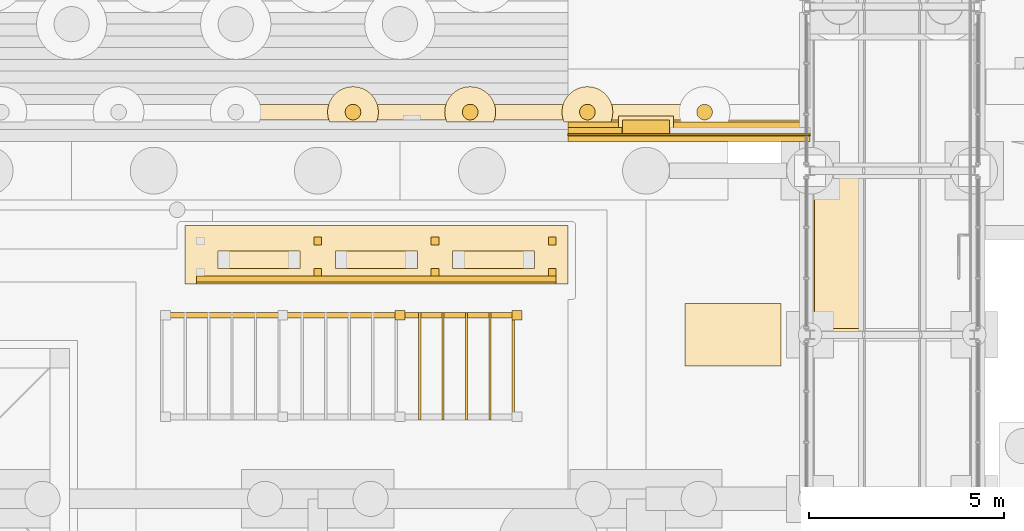
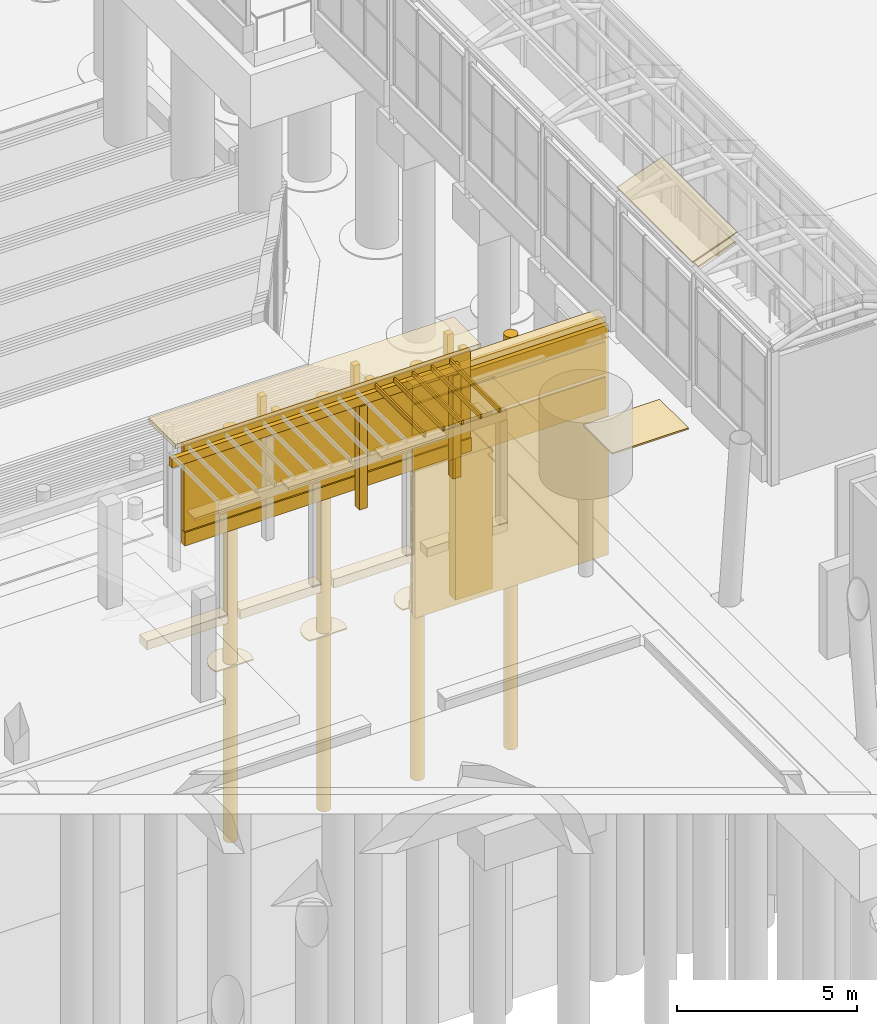
# One storey, part 179 of 222: 46 coverings.
"""IFC4 building model written with IfcOpenShell, lengths in metres."""

from ifc_helpers import new_model, si_unit, direction, frame, origin, origin_2d, place, context, subcontext, project, spatial, polyline, circle, outline, extrude, material, layer, layer_set, type_object, element, save


model = new_model("IFC4")

# Units and contexts
model_context = context("Model", 3, precision=1e-05, world=origin(), true_north=direction((0.0, 1.0)))
body_context = subcontext(model_context, "Body", "Model", "MODEL_VIEW")
ifc_project = project(units=[si_unit("LENGTHUNIT", "METRE"), si_unit("AREAUNIT", "SQUARE_METRE"), si_unit("VOLUMEUNIT", "CUBIC_METRE"), si_unit("PLANEANGLEUNIT", "RADIAN"), si_unit("MASSUNIT", "GRAM", prefix="KILO")], contexts=[model_context])

# Site, building, storey
site_placement = place(None, origin())
site = spatial("IfcSite", under=ifc_project, at=site_placement, CompositionType="ELEMENT")
building_placement = place(site_placement, origin())
building = spatial("IfcBuilding", under=site, at=building_placement, Name="Sava Quay Ferry Terminal", CompositionType="ELEMENT")
storey_placement = place(building_placement, origin())
storey = spatial("IfcBuildingStorey", under=building, at=storey_placement, Name="L00", CompositionType="ELEMENT", Elevation=0.0)

# Coverings
ifc_material_1 = material(Name="Glulam GL28h", Category="wood")
ifc_layer_1 = layer(ifc_material_1, 0.449951171875)
ifc_layer_set_1 = layer_set([ifc_layer_1], Name="Glulam GL28h")
covering_type_1 = type_object("IfcCoveringType", Name="Bench seat 450", PredefinedType="CLADDING", material=ifc_layer_set_1)
covering_1_placement = place(storey_placement, frame((0.0, 0.0, 0.419921875)))
element("IfcCovering", 1, at=covering_1_placement, inside=storey, type_object=covering_type_1, Name="Bench seat", PredefinedType="CLADDING", context=body_context, shape_type="SweptSolid", body=[
    extrude(outline(polyline([(33.14990234375, 115.10009765625), (33.14990234375, 115.550048828125), (31.050048828125, 115.550048828125), (31.050048828125, 115.10009765625), (33.14990234375, 115.10009765625)])), origin(), (0.0, 0.0, 1.0), 0.080078125),
])
covering_2_placement = place(storey_placement, frame((0.0, 0.0, 0.419921875)))
element("IfcCovering", 2, at=covering_2_placement, inside=storey, type_object=covering_type_1, Name="Bench seat", PredefinedType="CLADDING", context=body_context, shape_type="SweptSolid", body=[
    extrude(outline(polyline([(36.14990234375, 115.10009765625), (36.14990234375, 115.550048828125), (34.050048828125, 115.550048828125), (34.050048828125, 115.10009765625), (36.14990234375, 115.10009765625)])), origin(), (0.0, 0.0, 1.0), 0.080078125),
])
covering_3_placement = place(storey_placement, frame((0.0, 0.0, 0.419921875)))
element("IfcCovering", 3, at=covering_3_placement, inside=storey, type_object=covering_type_1, Name="Bench seat", PredefinedType="CLADDING", context=body_context, shape_type="SweptSolid", body=[
    extrude(outline(polyline([(39.14990234375, 115.10009765625), (39.14990234375, 115.550048828125), (37.050048828125, 115.550048828125), (37.050048828125, 115.10009765625), (39.14990234375, 115.10009765625)])), origin(), (0.0, 0.0, 1.0), 0.080078125),
])
ifc_material_2 = material(Name="Greenheart timber", Category="wood")
ifc_layer_2 = layer(ifc_material_2, 0.14990234375)
ifc_layer_set_2 = layer_set([ifc_layer_2], Name="Greenheart timber")
covering_type_2 = type_object("IfcCoveringType", Name="Fender rubbing strip 150", PredefinedType="CLADDING", material=ifc_layer_set_2)
covering_4_placement = place(storey_placement, frame((0.0, 0.0, -7.89990234375)))
element("IfcCovering", 4, at=covering_4_placement, inside=storey, type_object=covering_type_2, Name="Fender rubbing strip", PredefinedType="CLADDING", context=body_context, shape_type="SweptSolid", body=[
    extrude(outline(polyline([(41.389892578125, 118.699951171875), (40.0, 118.699951171875), (40.0, 118.550048828125), (41.389892578125, 118.550048828125), (41.389892578125, 118.699951171875)])), origin(), (0.0, 0.0, 1.0), 0.2998046875),
])
ifc_material_3 = material(Name="Glulam GL28h", Category="wood")
ifc_layer_3 = layer(ifc_material_3, 0.06005859375)
ifc_layer_set_3 = layer_set([ifc_layer_3], Name="Glulam GL28h")
covering_type_3 = type_object("IfcCoveringType", Name="Glulam soffit lining 60", PredefinedType="CEILING", material=ifc_layer_set_3)
covering_5_placement = place(storey_placement, frame((46.317138671875, 113.56005859375, 4.645751953125), z_axis=(-0.341968236193, 0.0, 0.939711511814), x_axis=(0.939711511814, 0.0, 0.341968236193)))
element("IfcCovering", 5, at=covering_5_placement, inside=storey, type_object=covering_type_3, Name="Boarding gallery B1 timber soffit lining bay 2 facet 1", PredefinedType="CEILING", context=body_context, shape_type="SweptSolid", body=[
    extrude(outline(polyline([(0.0, 0.0), (1.305773916594794, 0.0), (1.305773916594794, 3.8798828125), (0.0, 3.8798828125), (0.0, 0.0)])), origin(), (0.0, 0.0, -1.0), 0.06005859375),
])
ifc_material_4 = material(Name="Steel S355", Category="steel")
ifc_layer_4 = layer(ifc_material_4, 0.14990234375)
ifc_layer_set_4 = layer_set([ifc_layer_4], Name="Steel S355")
covering_type_4 = type_object("IfcCoveringType", Name="Promenade pergola beam 150x300", PredefinedType="CLADDING", material=ifc_layer_set_4)
covering_6_placement = place(storey_placement, frame((0.0, 0.0, 3.5)))
element("IfcCovering", 6, at=covering_6_placement, inside=storey, type_object=covering_type_4, Name="Promenade pergola beam", PredefinedType="CLADDING", context=body_context, shape_type="SweptSolid", body=[
    extrude(outline(polyline([(38.824951171875, 113.824951171875), (38.824951171875, 113.97509765625), (29.574951171875, 113.97509765625), (29.574951171875, 113.824951171875), (38.824951171875, 113.824951171875)])), origin(), (0.0, 0.0, 1.0), 0.300048828125),
])
ifc_material_5 = material(Name="Steel S355", Category="steel")
ifc_layer_5 = layer(ifc_material_5, 0.25)
ifc_layer_set_5 = layer_set([ifc_layer_5], Name="Steel S355")
covering_type_5 = type_object("IfcCoveringType", Name="Promenade pergola post 250", PredefinedType="CLADDING", material=ifc_layer_set_5)
covering_7_placement = place(storey_placement, origin())
element("IfcCovering", 7, at=covering_7_placement, inside=storey, type_object=covering_type_5, Name="Promenade pergola post", PredefinedType="CLADDING", context=body_context, shape_type="SweptSolid", body=[
    extrude(outline(polyline([(35.824951171875, 113.77490234375), (35.824951171875, 114.02490234375), (35.574951171875, 114.02490234375), (35.574951171875, 113.77490234375), (35.824951171875, 113.77490234375)])), origin(), (0.0, 0.0, 1.0), 3.5),
])
covering_8_placement = place(storey_placement, origin())
element("IfcCovering", 8, at=covering_8_placement, inside=storey, type_object=covering_type_5, Name="Promenade pergola post", PredefinedType="CLADDING", context=body_context, shape_type="SweptSolid", body=[
    extrude(outline(polyline([(38.824951171875, 113.77490234375), (38.824951171875, 114.02490234375), (38.574951171875, 114.02490234375), (38.574951171875, 113.77490234375), (38.824951171875, 113.77490234375)])), origin(), (0.0, 0.0, 1.0), 3.5),
])
ifc_material_6 = material(Name="Glulam GL28h", Category="wood")
ifc_layer_6 = layer(ifc_material_6, 0.06005859375)
ifc_layer_set_6 = layer_set([ifc_layer_6], Name="Glulam GL28h")
covering_type_6 = type_object("IfcCoveringType", Name="Promenade pergola rafter 60x150", PredefinedType="CLADDING", material=ifc_layer_set_6)
covering_9_placement = place(storey_placement, frame((0.0, 0.0, 3.800048828125)))
element("IfcCovering", 9, at=covering_9_placement, inside=storey, type_object=covering_type_6, Name="Promenade pergola rafter", PredefinedType="CLADDING", context=body_context, shape_type="SweptSolid", body=[
    extrude(outline(polyline([(36.235107421875, 111.22509765625), (36.235107421875, 113.97509765625), (36.175048828125, 113.97509765625), (36.175048828125, 111.22509765625), (36.235107421875, 111.22509765625)])), origin(), (0.0, 0.0, 1.0), 0.14990234375),
])
covering_10_placement = place(storey_placement, frame((0.0, 0.0, 3.800048828125)))
element("IfcCovering", 10, at=covering_10_placement, inside=storey, type_object=covering_type_6, Name="Promenade pergola rafter", PredefinedType="CLADDING", context=body_context, shape_type="SweptSolid", body=[
    extrude(outline(polyline([(36.8349609375, 111.22509765625), (36.8349609375, 113.97509765625), (36.77490234375, 113.97509765625), (36.77490234375, 111.22509765625), (36.8349609375, 111.22509765625)])), origin(), (0.0, 0.0, 1.0), 0.14990234375),
])
covering_11_placement = place(storey_placement, frame((0.0, 0.0, 3.800048828125)))
element("IfcCovering", 11, at=covering_11_placement, inside=storey, type_object=covering_type_6, Name="Promenade pergola rafter", PredefinedType="CLADDING", context=body_context, shape_type="SweptSolid", body=[
    extrude(outline(polyline([(37.43505859375, 111.22509765625), (37.43505859375, 113.97509765625), (37.375, 113.97509765625), (37.375, 111.22509765625), (37.43505859375, 111.22509765625)])), origin(), (0.0, 0.0, 1.0), 0.14990234375),
])
covering_12_placement = place(storey_placement, frame((0.0, 0.0, 3.800048828125)))
element("IfcCovering", 12, at=covering_12_placement, inside=storey, type_object=covering_type_6, Name="Promenade pergola rafter", PredefinedType="CLADDING", context=body_context, shape_type="SweptSolid", body=[
    extrude(outline(polyline([(38.034912109375, 111.22509765625), (38.034912109375, 113.97509765625), (37.97509765625, 113.97509765625), (37.97509765625, 111.22509765625), (38.034912109375, 111.22509765625)])), origin(), (0.0, 0.0, 1.0), 0.14990234375),
])
covering_13_placement = place(storey_placement, frame((0.0, 0.0, 3.800048828125)))
element("IfcCovering", 13, at=covering_13_placement, inside=storey, type_object=covering_type_6, Name="Promenade pergola rafter", PredefinedType="CLADDING", context=body_context, shape_type="SweptSolid", body=[
    extrude(outline(polyline([(38.635009765625, 111.22509765625), (38.635009765625, 113.97509765625), (38.574951171875, 113.97509765625), (38.574951171875, 111.22509765625), (38.635009765625, 111.22509765625)])), origin(), (0.0, 0.0, 1.0), 0.14990234375),
])
ifc_material_7 = material(Name="Timber", Category="wood")
ifc_layer_7 = layer(ifc_material_7, 0.39990234375)
ifc_layer_set_7 = layer_set([ifc_layer_7], Name="Timber")
covering_type_7 = type_object("IfcCoveringType", Name="Quay fender pile 400", PredefinedType="CLADDING", material=ifc_layer_set_7)
for number, where, z_axis, x_axis, name in (
    (14, (34.5, 119.10009765625, 0.0), (0.0, 0.0, -1.0), (1.0, 0.0, 0.0), "Quay fender pile"),
    (15, (37.5, 119.10009765625, 0.0), (0.0, 0.0, -1.0), (1.0, 0.0, 0.0), "Quay fender pile"),
    (16, (40.5, 119.10009765625, 0.0), (0.0, 0.0, -1.0), (1.0, 0.0, 0.0), "Quay fender pile"),
    (17, (43.5, 119.10009765625, 0.0), (0.0, 0.0, -1.0), (1.0, 0.0, 0.0), "Quay fender pile"),
):
    element("IfcCovering", number, at=place(storey_placement, frame(where, z_axis=z_axis, x_axis=x_axis)), inside=storey, type_object=covering_type_7, Name=name, PredefinedType="CLADDING", context=body_context, shape_type="SweptSolid", body=[
        extrude(circle(Radius=0.199951171875, at=origin_2d()), origin(), (0.0, 0.0, 1.0), 14.0),
    ])
ifc_material_8 = material(Name="Timber", Category="wood")
ifc_layer_8 = layer(ifc_material_8, 0.39990234375)
ifc_layer_set_8 = layer_set([ifc_layer_8], Name="Timber")
covering_type_8 = type_object("IfcCoveringType", Name="Quay fender waling", PredefinedType="MOLDING", material=ifc_layer_set_8)
covering_14_placement = place(storey_placement, frame((0.0, 0.0, -6.5)))
element("IfcCovering", 18, at=covering_14_placement, inside=storey, type_object=covering_type_8, Name="Quay fender waling", PredefinedType="MOLDING", context=body_context, shape_type="SweptSolid", body=[
    extrude(outline(polyline([(34.300048828125, 118.89990234375), (34.300048828125, 119.300048828125), (31.699951171875, 119.300048828125), (31.699951171875, 118.89990234375), (34.300048828125, 118.89990234375)])), origin(), (0.0, 0.0, 1.0), 0.300048828125),
])
covering_15_placement = place(storey_placement, frame((0.0, 0.0, -6.5)))
element("IfcCovering", 19, at=covering_15_placement, inside=storey, type_object=covering_type_8, Name="Quay fender waling", PredefinedType="MOLDING", context=body_context, shape_type="SweptSolid", body=[
    extrude(outline(polyline([(37.300048828125, 118.89990234375), (37.300048828125, 119.300048828125), (34.699951171875, 119.300048828125), (34.699951171875, 118.89990234375), (37.300048828125, 118.89990234375)])), origin(), (0.0, 0.0, 1.0), 0.300048828125),
])
covering_16_placement = place(storey_placement, frame((0.0, 0.0, -6.5)))
element("IfcCovering", 20, at=covering_16_placement, inside=storey, type_object=covering_type_8, Name="Quay fender waling", PredefinedType="MOLDING", context=body_context, shape_type="SweptSolid", body=[
    extrude(outline(polyline([(40.300048828125, 118.89990234375), (40.300048828125, 119.300048828125), (37.699951171875, 119.300048828125), (37.699951171875, 118.89990234375), (40.300048828125, 118.89990234375)])), origin(), (0.0, 0.0, 1.0), 0.300048828125),
])
covering_17_placement = place(storey_placement, frame((0.0, 0.0, -6.5)))
element("IfcCovering", 21, at=covering_17_placement, inside=storey, type_object=covering_type_8, Name="Quay fender waling", PredefinedType="MOLDING", context=body_context, shape_type="SweptSolid", body=[
    extrude(outline(polyline([(43.300048828125, 118.89990234375), (43.300048828125, 119.300048828125), (40.699951171875, 119.300048828125), (40.699951171875, 118.89990234375), (43.300048828125, 118.89990234375)])), origin(), (0.0, 0.0, 1.0), 0.300048828125),
])
ifc_material_9 = material(Name="Limestone Mutalj", Category="masonry")
ifc_layer_9 = layer(ifc_material_9, 0.449951171875)
ifc_layer_set_9 = layer_set([ifc_layer_9], Name="Limestone Mutalj")
covering_type_9 = type_object("IfcCoveringType", Name="Quay pilaster cap 1400", PredefinedType="MOLDING", material=ifc_layer_set_9)
covering_18_placement = place(storey_placement, frame((0.0, 0.0, -0.949951171875)))
element("IfcCovering", 22, at=covering_18_placement, inside=storey, type_object=covering_type_9, Name="Quay pilaster cap", PredefinedType="MOLDING", context=body_context, shape_type="SweptSolid", body=[
    extrude(outline(polyline([(42.699951171875, 118.550048828125), (42.699951171875, 119.0), (41.300048828125, 119.0), (41.300048828125, 118.550048828125), (42.699951171875, 118.550048828125)])), origin(), (0.0, 0.0, 1.0), 0.14990234375),
])
ifc_material_10 = material(Name="Limestone Mutalj", Category="masonry")
ifc_layer_10 = layer(ifc_material_10, 0.39990234375)
ifc_layer_set_10 = layer_set([ifc_layer_10], Name="Limestone Mutalj")
covering_type_10 = type_object("IfcCoveringType", Name="Quay wall coping 400", PredefinedType="MOLDING", material=ifc_layer_set_10)
covering_19_placement = place(storey_placement, frame((0.0, 0.0, -0.199951171875)))
element("IfcCovering", 23, at=covering_19_placement, inside=storey, type_object=covering_type_10, Name="Quay wall coping", PredefinedType="MOLDING", context=body_context, shape_type="SweptSolid", body=[
    extrude(outline(polyline([(40.0, 118.89990234375), (40.0, 118.5), (46.199951171875, 118.5), (46.199951171875, 118.89990234375), (40.0, 118.89990234375)])), origin(), (0.0, 0.0, 1.0), 0.199951171875),
])
ifc_material_11 = material(Name="Limestone Mutalj", Category="masonry")
ifc_layer_11 = layer(ifc_material_11, 0.35009765625)
ifc_layer_set_11 = layer_set([ifc_layer_11], Name="Limestone Mutalj")
covering_type_11 = type_object("IfcCoveringType", Name="Quay wall cornice 350", PredefinedType="MOLDING", material=ifc_layer_set_11)
covering_20_placement = place(storey_placement, frame((0.0, 0.0, -0.800048828125)))
element("IfcCovering", 24, at=covering_20_placement, inside=storey, type_object=covering_type_11, Name="Quay wall cornice", PredefinedType="MOLDING", context=body_context, shape_type="SweptSolid", body=[
    extrude(outline(polyline([(40.0, 118.85009765625), (40.0, 118.5), (46.199951171875, 118.5), (46.199951171875, 118.85009765625), (40.0, 118.85009765625)])), origin(), (0.0, 0.0, 1.0), 0.60009765625),
])
ifc_material_12 = material(Name="Limestone Mutalj", Category="masonry")
ifc_layer_12 = layer(ifc_material_12, 0.14990234375)
ifc_layer_set_12 = layer_set([ifc_layer_12], Name="Limestone Mutalj")
covering_type_12 = type_object("IfcCoveringType", Name="Quay wall facing 150", PredefinedType="CLADDING", material=ifc_layer_set_12)
covering_21_placement = place(storey_placement, frame((0.0, 0.0, -8.0)))
element("IfcCovering", 25, at=covering_21_placement, inside=storey, type_object=covering_type_12, Name="Quay wall facing", PredefinedType="CLADDING", context=body_context, shape_type="SweptSolid", body=[
    extrude(outline(polyline([(40.0, 118.35009765625), (46.199951171875, 118.35009765625), (46.199951171875, 118.5), (40.0, 118.5), (40.0, 118.35009765625)])), origin(), (0.0, 0.0, 1.0), 7.800048828125),
])
ifc_material_13 = material(Name="Limestone Mutalj", Category="masonry")
ifc_layer_13 = layer(ifc_material_13, 0.35009765625)
ifc_layer_set_13 = layer_set([ifc_layer_13], Name="Limestone Mutalj")
covering_type_13 = type_object("IfcCoveringType", Name="Quay wall pilaster 1200", PredefinedType="CLADDING", material=ifc_layer_set_13)
covering_22_placement = place(storey_placement, frame((0.0, 0.0, -8.0)))
element("IfcCovering", 26, at=covering_22_placement, inside=storey, type_object=covering_type_13, Name="Quay wall pilaster", PredefinedType="CLADDING", context=body_context, shape_type="SweptSolid", body=[
    extrude(outline(polyline([(42.60009765625, 118.550048828125), (42.60009765625, 118.89990234375), (41.39990234375, 118.89990234375), (41.39990234375, 118.550048828125), (42.60009765625, 118.550048828125)])), origin(), (0.0, 0.0, 1.0), 7.050048828125),
])
ifc_material_14 = material(Name="Water")
ifc_layer_14 = layer(ifc_material_14, 0.0400390625)
ifc_layer_set_14 = layer_set([ifc_layer_14], Name="Water")
covering_type_14 = type_object("IfcCoveringType", Name="River foam collar", PredefinedType="CLADDING", material=ifc_layer_set_14)
covering_23_placement = place(storey_placement, frame((0.0, 0.0, -8.0)))
element("IfcCovering", 27, at=covering_23_placement, inside=storey, type_object=covering_type_14, Name="River foam collar", PredefinedType="CLADDING", context=body_context, shape_type="SweptSolid", body=[
    extrude(outline(polyline([(34.373046875, 119.739990234375), (34.25, 119.702880859375), (34.137939453125, 119.64208984375), (34.0390625, 119.56103515625), (33.9580078125, 119.4619140625), (33.89697265625, 119.35009765625), (33.860107421875, 119.22705078125), (33.847900390625, 119.10009765625), (33.860107421875, 118.972900390625), (33.89794921875, 118.85009765625), (35.10205078125, 118.85009765625), (35.139892578125, 118.972900390625), (35.152099609375, 119.10009765625), (35.139892578125, 119.22705078125), (35.10302734375, 119.35009765625), (35.0419921875, 119.4619140625), (34.9609375, 119.56103515625), (34.862060546875, 119.64208984375), (34.75, 119.702880859375), (34.626953125, 119.739990234375), (34.5, 119.751953125), (34.373046875, 119.739990234375)]), holes=[polyline([(34.423095703125, 119.284912109375), (34.4609375, 119.2958984375), (34.5, 119.300048828125), (34.5390625, 119.2958984375), (34.576904296875, 119.284912109375), (34.611083984375, 119.26611328125), (34.64111328125, 119.240966796875), (34.666015625, 119.2109375), (34.68505859375, 119.177001953125), (34.696044921875, 119.138916015625), (34.699951171875, 119.10009765625), (34.696044921875, 119.06103515625), (34.68505859375, 119.02294921875), (34.666015625, 118.989013671875), (34.64111328125, 118.958984375), (34.611083984375, 118.93408203125), (34.576904296875, 118.9150390625), (34.5390625, 118.904052734375), (34.5, 118.89990234375), (34.4609375, 118.904052734375), (34.423095703125, 118.9150390625), (34.388916015625, 118.93408203125), (34.35888671875, 118.958984375), (34.333984375, 118.989013671875), (34.31494140625, 119.02294921875), (34.303955078125, 119.06103515625), (34.300048828125, 119.10009765625), (34.303955078125, 119.138916015625), (34.31494140625, 119.177001953125), (34.333984375, 119.2109375), (34.35888671875, 119.240966796875), (34.388916015625, 119.26611328125), (34.423095703125, 119.284912109375)])]), origin(), (0.0, 0.0, 1.0), 0.0400390625),
])
covering_24_placement = place(storey_placement, frame((0.0, 0.0, -8.0)))
element("IfcCovering", 28, at=covering_24_placement, inside=storey, type_object=covering_type_14, Name="River foam collar", PredefinedType="CLADDING", context=body_context, shape_type="SweptSolid", body=[
    extrude(outline(polyline([(37.5, 119.751953125), (37.373046875, 119.739990234375), (37.25, 119.702880859375), (37.137939453125, 119.64208984375), (37.0390625, 119.56103515625), (36.9580078125, 119.4619140625), (36.89697265625, 119.35009765625), (36.860107421875, 119.22705078125), (36.847900390625, 119.10009765625), (36.860107421875, 118.972900390625), (36.89794921875, 118.85009765625), (38.10205078125, 118.85009765625), (38.139892578125, 118.972900390625), (38.152099609375, 119.10009765625), (38.139892578125, 119.22705078125), (38.10302734375, 119.35009765625), (38.0419921875, 119.4619140625), (37.9609375, 119.56103515625), (37.862060546875, 119.64208984375), (37.75, 119.702880859375), (37.626953125, 119.739990234375), (37.5, 119.751953125)]), holes=[polyline([(37.388916015625, 119.26611328125), (37.423095703125, 119.284912109375), (37.4609375, 119.2958984375), (37.5, 119.300048828125), (37.5390625, 119.2958984375), (37.576904296875, 119.284912109375), (37.611083984375, 119.26611328125), (37.64111328125, 119.240966796875), (37.666015625, 119.2109375), (37.68505859375, 119.177001953125), (37.696044921875, 119.138916015625), (37.699951171875, 119.10009765625), (37.696044921875, 119.06103515625), (37.68505859375, 119.02294921875), (37.666015625, 118.989013671875), (37.64111328125, 118.958984375), (37.611083984375, 118.93408203125), (37.576904296875, 118.9150390625), (37.5390625, 118.904052734375), (37.5, 118.89990234375), (37.4609375, 118.904052734375), (37.423095703125, 118.9150390625), (37.388916015625, 118.93408203125), (37.35888671875, 118.958984375), (37.333984375, 118.989013671875), (37.31494140625, 119.02294921875), (37.303955078125, 119.06103515625), (37.300048828125, 119.10009765625), (37.303955078125, 119.138916015625), (37.31494140625, 119.177001953125), (37.333984375, 119.2109375), (37.35888671875, 119.240966796875), (37.388916015625, 119.26611328125)])]), origin(), (0.0, 0.0, 1.0), 0.0400390625),
])
covering_25_placement = place(storey_placement, frame((0.0, 0.0, -8.0)))
element("IfcCovering", 29, at=covering_25_placement, inside=storey, type_object=covering_type_14, Name="River foam collar", PredefinedType="CLADDING", context=body_context, shape_type="SweptSolid", body=[
    extrude(outline(polyline([(40.626953125, 119.739990234375), (40.5, 119.751953125), (40.373046875, 119.739990234375), (40.25, 119.702880859375), (40.137939453125, 119.64208984375), (40.0390625, 119.56103515625), (39.9580078125, 119.4619140625), (39.89697265625, 119.35009765625), (39.860107421875, 119.22705078125), (39.847900390625, 119.10009765625), (39.860107421875, 118.972900390625), (39.89794921875, 118.85009765625), (41.10205078125, 118.85009765625), (41.139892578125, 118.972900390625), (41.152099609375, 119.10009765625), (41.139892578125, 119.22705078125), (41.10302734375, 119.35009765625), (41.0419921875, 119.4619140625), (40.9609375, 119.56103515625), (40.862060546875, 119.64208984375), (40.75, 119.702880859375), (40.626953125, 119.739990234375)]), holes=[polyline([(40.35888671875, 119.240966796875), (40.388916015625, 119.26611328125), (40.423095703125, 119.284912109375), (40.4609375, 119.2958984375), (40.5, 119.300048828125), (40.5390625, 119.2958984375), (40.576904296875, 119.284912109375), (40.611083984375, 119.26611328125), (40.64111328125, 119.240966796875), (40.666015625, 119.2109375), (40.68505859375, 119.177001953125), (40.696044921875, 119.138916015625), (40.699951171875, 119.10009765625), (40.696044921875, 119.06103515625), (40.68505859375, 119.02294921875), (40.666015625, 118.989013671875), (40.64111328125, 118.958984375), (40.611083984375, 118.93408203125), (40.576904296875, 118.9150390625), (40.5390625, 118.904052734375), (40.5, 118.89990234375), (40.4609375, 118.904052734375), (40.423095703125, 118.9150390625), (40.388916015625, 118.93408203125), (40.35888671875, 118.958984375), (40.333984375, 118.989013671875), (40.31494140625, 119.02294921875), (40.303955078125, 119.06103515625), (40.300048828125, 119.10009765625), (40.303955078125, 119.138916015625), (40.31494140625, 119.177001953125), (40.333984375, 119.2109375), (40.35888671875, 119.240966796875)])]), origin(), (0.0, 0.0, 1.0), 0.0400390625),
])
ifc_material_15 = material(Name="Limestone Mutalj", Category="masonry")
ifc_layer_15 = layer(ifc_material_15, 0.050048828125)
ifc_layer_set_15 = layer_set([ifc_layer_15], Name="Limestone Mutalj")
covering_type_15 = type_object("IfcCoveringType", Name="Rustication course 250", PredefinedType="MOLDING", material=ifc_layer_set_15)
covering_26_placement = place(storey_placement, frame((0.0, 0.0, -7.93994140625)))
element("IfcCovering", 30, at=covering_26_placement, inside=storey, type_object=covering_type_15, Name="Rustication course", PredefinedType="MOLDING", context=body_context, shape_type="SweptSolid", body=[
    extrude(outline(polyline([(46.199951171875, 118.550048828125), (40.0, 118.550048828125), (40.0, 118.5), (46.199951171875, 118.5), (46.199951171875, 118.550048828125)])), origin(), (0.0, 0.0, 1.0), 1.079833984375),
])
for number, where, name in (
    (31, (0.0, 0.0, -6.739990234375), "Rustication course"),
    (32, (0.0, 0.0, -5.5400390625), "Rustication course"),
    (33, (0.0, 0.0, -4.340087890625), "Rustication course"),
):
    element("IfcCovering", number, at=place(storey_placement, frame(where)), inside=storey, type_object=covering_type_15, Name=name, PredefinedType="MOLDING", context=body_context, shape_type="SweptSolid", body=[
        extrude(outline(polyline([(46.199951171875, 118.550048828125), (40.0, 118.550048828125), (40.0, 118.5), (46.199951171875, 118.5), (46.199951171875, 118.550048828125)])), origin(), (0.0, 0.0, 1.0), 1.080078125),
    ])
for number, where, name in (
    (34, (0.0, 0.0, -3.139892578125), "Rustication course"),
    (35, (0.0, 0.0, -1.93994140625), "Rustication course"),
):
    element("IfcCovering", number, at=place(storey_placement, frame(where)), inside=storey, type_object=covering_type_15, Name=name, PredefinedType="MOLDING", context=body_context, shape_type="SweptSolid", body=[
        extrude(outline(polyline([(46.199951171875, 118.550048828125), (40.0, 118.550048828125), (40.0, 118.5), (46.199951171875, 118.5), (46.199951171875, 118.550048828125)])), origin(), (0.0, 0.0, 1.0), 1.079833984375),
    ])
ifc_material_16 = material(Name="Zinc standing seam sheet")
ifc_layer_16 = layer(ifc_material_16, 0.0400390625)
ifc_layer_set_16 = layer_set([ifc_layer_16], Name="Zinc standing seam sheet")
covering_type_16 = type_object("IfcCoveringType", Name="Standing seam roofing 40", PredefinedType="ROOFING", material=ifc_layer_set_16)
covering_27_placement = place(storey_placement, frame((46.0361328125, 113.409912109375, 4.979736328125), z_axis=(-0.342089424704, 0.0, 0.939667401534), x_axis=(0.939667401534, 0.0, 0.342089424704)))
element("IfcCovering", 36, at=covering_27_placement, inside=storey, type_object=covering_type_16, Name="Boarding gallery B1 roofing bay 2 facet 1", PredefinedType="ROOFING", context=body_context, shape_type="SweptSolid", body=[
    extrude(outline(polyline([(0.0, 0.0), (1.5279778922638676, 0.0), (1.5279778922638676, 4.18017578125), (0.0, 4.18017578125), (0.0, 0.0)])), origin(), (0.0, 0.0, -1.0), 0.0400390625),
])
ifc_material_17 = material(Name="Limestone Mutalj", Category="masonry")
ifc_layer_17 = layer(ifc_material_17, 0.050048828125)
ifc_layer_set_17 = layer_set([ifc_layer_17], Name="Limestone Mutalj")
covering_type_17 = type_object("IfcCoveringType", Name="Stone paving band 50", PredefinedType="FLOORING", material=ifc_layer_set_17)
covering_28_placement = place(storey_placement, origin())
element("IfcCovering", 37, at=covering_28_placement, inside=storey, type_object=covering_type_17, Name="Stone paving band", PredefinedType="FLOORING", context=body_context, shape_type="SweptSolid", body=[
    extrude(outline(polyline([(45.449951171875, 112.60009765625), (45.449951171875, 114.199951171875), (43.0, 114.199951171875), (43.0, 112.60009765625), (45.449951171875, 112.60009765625)])), origin(), (0.0, 0.0, 1.0), 0.050048828125),
])
ifc_material_18 = material(Name="Steel S355", Category="steel")
ifc_layer_18 = layer(ifc_material_18, 0.199951171875)
ifc_layer_set_18 = layer_set([ifc_layer_18], Name="Steel S355")
covering_type_18 = type_object("IfcCoveringType", Name="Waiting shelter column 200", PredefinedType="CLADDING", material=ifc_layer_set_18)
covering_29_placement = place(storey_placement, origin())
element("IfcCovering", 38, at=covering_29_placement, inside=storey, type_object=covering_type_18, Name="Waiting shelter column", PredefinedType="CLADDING", context=body_context, shape_type="SweptSolid", body=[
    extrude(outline(polyline([(33.699951171875, 114.89990234375), (33.699951171875, 115.10009765625), (33.5, 115.10009765625), (33.5, 114.89990234375), (33.699951171875, 114.89990234375)])), origin(), (0.0, 0.0, 1.0), 3.39990234375),
])
covering_30_placement = place(storey_placement, origin())
element("IfcCovering", 39, at=covering_30_placement, inside=storey, type_object=covering_type_18, Name="Waiting shelter column", PredefinedType="CLADDING", context=body_context, shape_type="SweptSolid", body=[
    extrude(outline(polyline([(33.699951171875, 115.699951171875), (33.699951171875, 115.89990234375), (33.5, 115.89990234375), (33.5, 115.699951171875), (33.699951171875, 115.699951171875)])), origin(), (0.0, 0.0, 1.0), 3.39990234375),
])
covering_31_placement = place(storey_placement, origin())
element("IfcCovering", 40, at=covering_31_placement, inside=storey, type_object=covering_type_18, Name="Waiting shelter column", PredefinedType="CLADDING", context=body_context, shape_type="SweptSolid", body=[
    extrude(outline(polyline([(36.699951171875, 114.89990234375), (36.699951171875, 115.10009765625), (36.5, 115.10009765625), (36.5, 114.89990234375), (36.699951171875, 114.89990234375)])), origin(), (0.0, 0.0, 1.0), 3.39990234375),
])
covering_32_placement = place(storey_placement, origin())
element("IfcCovering", 41, at=covering_32_placement, inside=storey, type_object=covering_type_18, Name="Waiting shelter column", PredefinedType="CLADDING", context=body_context, shape_type="SweptSolid", body=[
    extrude(outline(polyline([(36.699951171875, 115.699951171875), (36.699951171875, 115.89990234375), (36.5, 115.89990234375), (36.5, 115.699951171875), (36.699951171875, 115.699951171875)])), origin(), (0.0, 0.0, 1.0), 3.39990234375),
])
covering_33_placement = place(storey_placement, origin())
element("IfcCovering", 42, at=covering_33_placement, inside=storey, type_object=covering_type_18, Name="Waiting shelter column", PredefinedType="CLADDING", context=body_context, shape_type="SweptSolid", body=[
    extrude(outline(polyline([(39.699951171875, 114.89990234375), (39.699951171875, 115.10009765625), (39.5, 115.10009765625), (39.5, 114.89990234375), (39.699951171875, 114.89990234375)])), origin(), (0.0, 0.0, 1.0), 3.39990234375),
])
covering_34_placement = place(storey_placement, origin())
element("IfcCovering", 43, at=covering_34_placement, inside=storey, type_object=covering_type_18, Name="Waiting shelter column", PredefinedType="CLADDING", context=body_context, shape_type="SweptSolid", body=[
    extrude(outline(polyline([(39.699951171875, 115.699951171875), (39.699951171875, 115.89990234375), (39.5, 115.89990234375), (39.5, 115.699951171875), (39.699951171875, 115.699951171875)])), origin(), (0.0, 0.0, 1.0), 3.39990234375),
])
ifc_material_19 = material(Name="Limestone Mutalj", Category="masonry")
ifc_layer_19 = layer(ifc_material_19, 0.199951171875)
ifc_layer_set_19 = layer_set([ifc_layer_19], Name="Limestone Mutalj")
covering_type_19 = type_object("IfcCoveringType", Name="Waiting shelter kerb 200", PredefinedType="MOLDING", material=ifc_layer_set_19)
covering_35_placement = place(storey_placement, origin())
element("IfcCovering", 44, at=covering_35_placement, inside=storey, type_object=covering_type_19, Name="Waiting shelter kerb", PredefinedType="MOLDING", context=body_context, shape_type="SweptSolid", body=[
    extrude(outline(polyline([(39.699951171875, 114.699951171875), (39.699951171875, 114.89990234375), (30.5, 114.89990234375), (30.5, 114.699951171875), (39.699951171875, 114.699951171875)])), origin(), (0.0, 0.0, 1.0), 0.449951171875),
])
ifc_material_20 = material(Name="Zinc standing seam")
ifc_layer_20 = layer(ifc_material_20, 0.14990234375)
ifc_layer_set_20 = layer_set([ifc_layer_20], Name="Zinc standing seam")
covering_type_20 = type_object("IfcCoveringType", Name="Waiting shelter roof plate 150", PredefinedType="ROOFING", material=ifc_layer_set_20)
covering_36_placement = place(storey_placement, frame((0.0, 0.0, 3.39990234375)))
element("IfcCovering", 45, at=covering_36_placement, inside=storey, type_object=covering_type_20, Name="Waiting shelter roof plate", PredefinedType="ROOFING", context=body_context, shape_type="SweptSolid", body=[
    extrude(outline(polyline([(40.0, 114.699951171875), (40.0, 116.199951171875), (30.199951171875, 116.199951171875), (30.199951171875, 114.699951171875), (40.0, 114.699951171875)])), origin(), (0.0, 0.0, 1.0), 0.150146484375),
])
ifc_material_21 = material(Name="Glulam GL28h", Category="wood")
ifc_layer_21 = layer(ifc_material_21, 0.10009765625)
ifc_layer_set_21 = layer_set([ifc_layer_21], Name="Glulam GL28h")
covering_type_21 = type_object("IfcCoveringType", Name="Waiting shelter screen 100", PredefinedType="CLADDING", material=ifc_layer_set_21)
covering_37_placement = place(storey_placement, frame((0.0, 0.0, 0.449951171875)))
element("IfcCovering", 46, at=covering_37_placement, inside=storey, type_object=covering_type_21, Name="Waiting shelter screen", PredefinedType="CLADDING", context=body_context, shape_type="SweptSolid", body=[
    extrude(outline(polyline([(39.699951171875, 114.75), (39.699951171875, 114.89990234375), (30.5, 114.89990234375), (30.5, 114.75), (39.699951171875, 114.75)])), origin(), (0.0, 0.0, 1.0), 2.949951171875),
])

save(model, "model.ifc")
